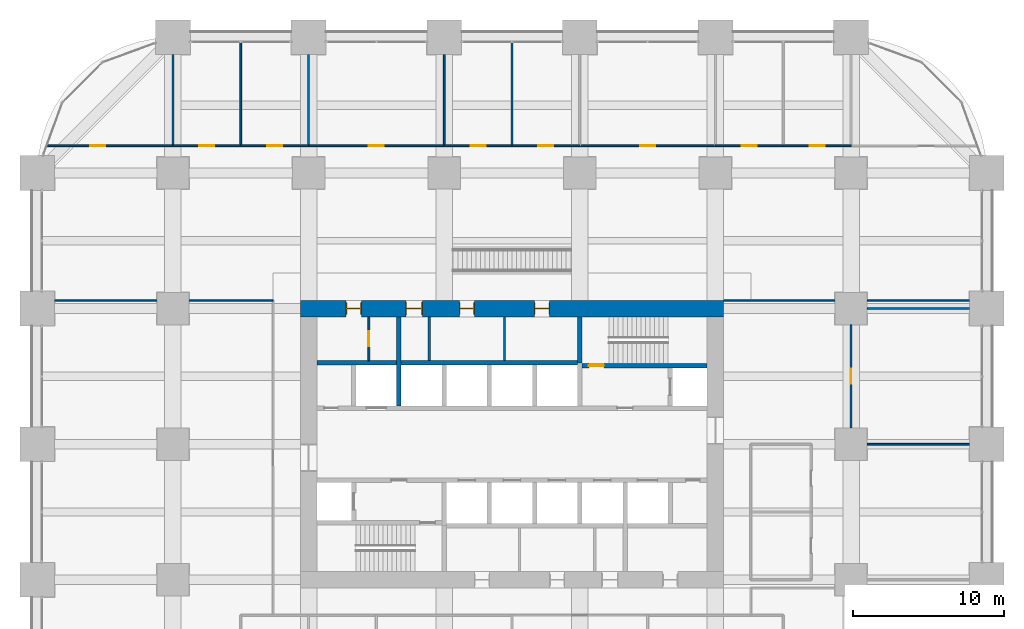
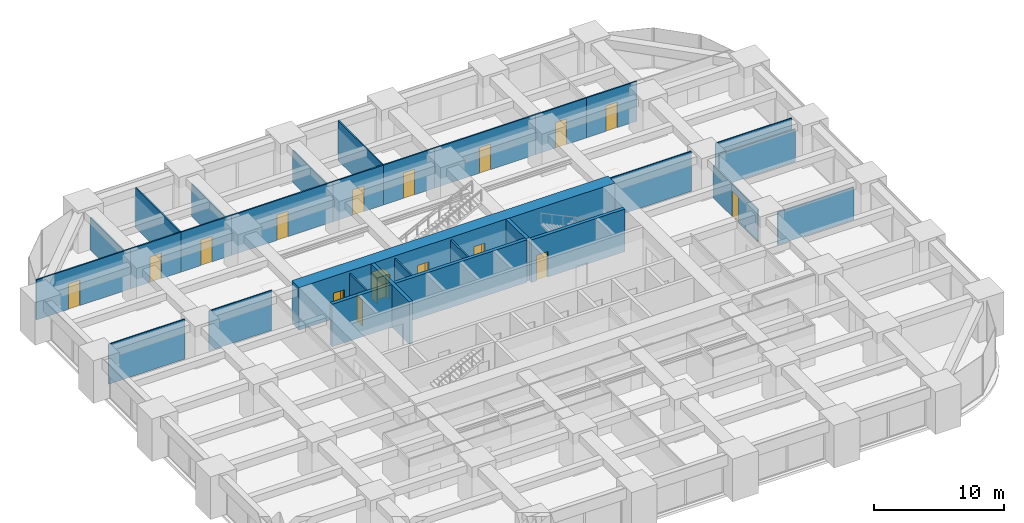
# One storey, part 41 of 44: 29 walls, 16 doors, 16 openings.
"""IFC4 building model written with IfcOpenShell, lengths in metres."""

from ifc_helpers import new_model, si_unit, direction, frame, frame_2d, origin, place, context, subcontext, project, spatial, rectangle, extrude, material, layer, layer_set, type_object, element, fill, save


model = new_model("IFC4")

# Units and contexts
model_context = context("Model", 3, precision=1e-05, world=origin(), true_north=direction((0.0, 1.0)))
body_context = subcontext(model_context, "Body", "Model", "MODEL_VIEW")
ifc_project = project(units=[si_unit("LENGTHUNIT", "METRE"), si_unit("AREAUNIT", "SQUARE_METRE"), si_unit("VOLUMEUNIT", "CUBIC_METRE"), si_unit("PLANEANGLEUNIT", "RADIAN"), si_unit("MASSUNIT", "GRAM", prefix="KILO")], contexts=[model_context])

# Site, building, storey
site_placement = place(None, origin())
site = spatial("IfcSite", under=ifc_project, at=site_placement, CompositionType="ELEMENT")
building_placement = place(site_placement, origin())
building = spatial("IfcBuilding", under=site, at=building_placement, Name="Zorevar Civic Tower", CompositionType="ELEMENT")
storey_placement = place(building_placement, frame((0.0, 0.0, 59.800048828125)))
storey = spatial("IfcBuildingStorey", under=building, at=storey_placement, Name="L14", CompositionType="ELEMENT", Elevation=59.800048828125)

# Wall, openings, doors
ifc_material_1 = material(Name="Concrete C50/60", Category="concrete")
ifc_layer_1 = layer(ifc_material_1, 1.10009765625)
ifc_layer_set_1 = layer_set([ifc_layer_1], Name="Core wall 1100")
wall_type_1 = type_object("IfcWallType", Name="Core wall 1100", PredefinedType="SHEAR", material=ifc_layer_set_1)
wall_1_placement = place(storey_placement, frame((45.550048828125, 36.0, 0.0), z_axis=(0.0, 0.0, 1.0), x_axis=(-1.0, 0.0, 0.0)))
wall_1 = element("IfcWall", 1, at=wall_1_placement, inside=storey, type_object=wall_type_1, Name="Core wall N L14", PredefinedType="SHEAR", context=body_context, shape_type="SweptSolid", body=[
    extrude(rectangle(XDim=28.10009765625, YDim=1.10009765625, at=frame_2d((14.050048828125, 0.0))), origin(), (0.0, 0.0, 1.0), 4.0),
])
opening_1_placement = place(wall_1_placement, frame((11.550048828125, 0.0, 0.0)))
opening_1 = element("IfcOpeningElement", 2, at=opening_1_placement, cuts=wall_1, Name="Opening L14.07", PredefinedType="OPENING", context=body_context, shape_type="SweptSolid", body=[
    extrude(rectangle(XDim=1.0, YDim=2.39990234375, at=frame_2d((0.5, 1.199951171875))), frame((0.0, 0.56005859375, 0.0), z_axis=(0.0, -1.0, 0.0), x_axis=(1.0, 0.0, 0.0)), (0.0, 0.0, 1.0), 1.1201171875),
])
opening_2_placement = place(wall_1_placement, frame((16.550048828125, 0.0, 0.0)))
opening_2 = element("IfcOpeningElement", 3, at=opening_2_placement, cuts=wall_1, Name="Opening L14.08", PredefinedType="OPENING", context=body_context, shape_type="SweptSolid", body=[
    extrude(rectangle(XDim=1.0, YDim=2.39990234375, at=frame_2d((0.5, 1.199951171875))), frame((0.0, 0.56005859375, 0.0), z_axis=(0.0, -1.0, 0.0), x_axis=(1.0, 0.0, 0.0)), (0.0, 0.0, 1.0), 1.1201171875),
])
opening_3_placement = place(wall_1_placement, frame((20.0, 0.0, 0.0)))
opening_3 = element("IfcOpeningElement", 4, at=opening_3_placement, cuts=wall_1, Name="Opening L14.09", PredefinedType="OPENING", context=body_context, shape_type="SweptSolid", body=[
    extrude(rectangle(XDim=1.10009765625, YDim=2.39990234375, at=frame_2d((0.550048828125, 1.199951171875))), frame((0.0, 0.56005859375, 0.0), z_axis=(0.0, -1.0, 0.0), x_axis=(1.0, 0.0, 0.0)), (0.0, 0.0, 1.0), 1.1201171875),
])
opening_4_placement = place(wall_1_placement, frame((24.050048828125, 0.0, 0.0)))
opening_4 = element("IfcOpeningElement", 5, at=opening_4_placement, cuts=wall_1, Name="Opening L14.10", PredefinedType="OPENING", context=body_context, shape_type="SweptSolid", body=[
    extrude(rectangle(XDim=1.0, YDim=2.39990234375, at=frame_2d((0.5, 1.199951171875))), frame((0.0, 0.56005859375, 0.0), z_axis=(0.0, -1.0, 0.0), x_axis=(1.0, 0.0, 0.0)), (0.0, 0.0, 1.0), 1.1201171875),
])
ifc_material_2 = material(Name="Timber door set", Category="wood")
door_type_1 = type_object("IfcDoorType", Name="Door D1 1000x2400", OperationType="SINGLE_SWING_LEFT", PredefinedType="DOOR", material=ifc_material_2)
door_1_placement = place(opening_1_placement, origin())
door_1 = element("IfcDoor", 6, at=door_1_placement, inside=storey, type_object=door_type_1, Name="Door L14 06", OperationType="SINGLE_SWING_RIGHT", OverallHeight=2.39990234375, OverallWidth=1.0, PredefinedType="DOOR", context=body_context, shape_type="SweptSolid", body=[
    extrude(rectangle(XDim=1.0, YDim=2.39990234375, at=frame_2d((0.5, 1.199951171875))), frame((0.0, 0.02490234375, 0.0), z_axis=(0.0, -1.0, 0.0), x_axis=(1.0, 0.0, 0.0)), (0.0, 0.0, 1.0), 0.050048828125),
    extrude(rectangle(XDim=0.04, YDim=2.39990234375, at=frame_2d((0.02001953125, 1.199951171875))), frame((0.0, 0.39990234375, 0.0), z_axis=(0.0, -1.0, 0.0), x_axis=(1.0, 0.0, 0.0)), (0.0, 0.0, 1.0), 0.800048828125),
    extrude(rectangle(XDim=0.04, YDim=2.39990234375, at=frame_2d((0.97998046875, 1.199951171875))), frame((0.0, 0.39990234375, 0.0), z_axis=(0.0, -1.0, 0.0), x_axis=(1.0, 0.0, 0.0)), (0.0, 0.0, 1.0), 0.800048828125),
    extrude(rectangle(XDim=1.0, YDim=0.04, at=frame_2d((0.5, 2.3798828125))), frame((0.0, 0.39990234375, 0.0), z_axis=(0.0, -1.0, 0.0), x_axis=(1.0, 0.0, 0.0)), (0.0, 0.0, 1.0), 0.800048828125),
])
fill(opening_1, door_1)
door_2_placement = place(opening_2_placement, origin())
door_2 = element("IfcDoor", 7, at=door_2_placement, inside=storey, type_object=door_type_1, Name="Door L14 07", OperationType="SINGLE_SWING_LEFT", OverallHeight=2.39990234375, OverallWidth=1.0, PredefinedType="DOOR", context=body_context, shape_type="SweptSolid", body=[
    extrude(rectangle(XDim=1.0, YDim=2.39990234375, at=frame_2d((0.5, 1.199951171875))), frame((0.0, 0.02490234375, 0.0), z_axis=(0.0, -1.0, 0.0), x_axis=(1.0, 0.0, 0.0)), (0.0, 0.0, 1.0), 0.050048828125),
    extrude(rectangle(XDim=0.04, YDim=2.39990234375, at=frame_2d((0.02001953125, 1.199951171875))), frame((0.0, 0.39990234375, 0.0), z_axis=(0.0, -1.0, 0.0), x_axis=(1.0, 0.0, 0.0)), (0.0, 0.0, 1.0), 0.800048828125),
    extrude(rectangle(XDim=0.04, YDim=2.39990234375, at=frame_2d((0.97998046875, 1.199951171875))), frame((0.0, 0.39990234375, 0.0), z_axis=(0.0, -1.0, 0.0), x_axis=(1.0, 0.0, 0.0)), (0.0, 0.0, 1.0), 0.800048828125),
    extrude(rectangle(XDim=1.0, YDim=0.04, at=frame_2d((0.5, 2.3798828125))), frame((0.0, 0.39990234375, 0.0), z_axis=(0.0, -1.0, 0.0), x_axis=(1.0, 0.0, 0.0)), (0.0, 0.0, 1.0), 0.800048828125),
])
fill(opening_2, door_2)
door_3_placement = place(opening_4_placement, origin())
door_3 = element("IfcDoor", 8, at=door_3_placement, inside=storey, type_object=door_type_1, Name="Door L14 09", OperationType="SINGLE_SWING_LEFT", OverallHeight=2.39990234375, OverallWidth=1.0, PredefinedType="DOOR", context=body_context, shape_type="SweptSolid", body=[
    extrude(rectangle(XDim=1.0, YDim=2.39990234375, at=frame_2d((0.5, 1.199951171875))), frame((0.0, 0.02490234375, 0.0), z_axis=(0.0, -1.0, 0.0), x_axis=(1.0, 0.0, 0.0)), (0.0, 0.0, 1.0), 0.050048828125),
    extrude(rectangle(XDim=0.04, YDim=2.39990234375, at=frame_2d((0.02001953125, 1.199951171875))), frame((0.0, 0.39990234375, 0.0), z_axis=(0.0, -1.0, 0.0), x_axis=(1.0, 0.0, 0.0)), (0.0, 0.0, 1.0), 0.800048828125),
    extrude(rectangle(XDim=0.04, YDim=2.39990234375, at=frame_2d((0.97998046875, 1.199951171875))), frame((0.0, 0.39990234375, 0.0), z_axis=(0.0, -1.0, 0.0), x_axis=(1.0, 0.0, 0.0)), (0.0, 0.0, 1.0), 0.800048828125),
    extrude(rectangle(XDim=1.0, YDim=0.04, at=frame_2d((0.5, 2.3798828125))), frame((0.0, 0.39990234375, 0.0), z_axis=(0.0, -1.0, 0.0), x_axis=(1.0, 0.0, 0.0)), (0.0, 0.0, 1.0), 0.800048828125),
])
fill(opening_4, door_3)
ifc_material_3 = material(Name="Timber door set", Category="wood")
door_type_2 = type_object("IfcDoorType", Name="Door D5 1100x2400", OperationType="SINGLE_SWING_LEFT", PredefinedType="DOOR", material=ifc_material_3)
door_4_placement = place(opening_3_placement, origin())
door_4 = element("IfcDoor", 9, at=door_4_placement, inside=storey, type_object=door_type_2, Name="Door L14 08", OperationType="SINGLE_SWING_LEFT", OverallHeight=2.39990234375, OverallWidth=1.10009765625, PredefinedType="DOOR", context=body_context, shape_type="SweptSolid", body=[
    extrude(rectangle(XDim=1.10009765625, YDim=2.39990234375, at=frame_2d((0.550048828125, 1.199951171875))), frame((0.0, 0.02490234375, 0.0), z_axis=(0.0, -1.0, 0.0), x_axis=(1.0, 0.0, 0.0)), (0.0, 0.0, 1.0), 0.050048828125),
    extrude(rectangle(XDim=0.04, YDim=2.39990234375, at=frame_2d((0.02001953125, 1.199951171875))), frame((0.0, 0.43994140625, 0.0), z_axis=(0.0, -1.0, 0.0), x_axis=(1.0, 0.0, 0.0)), (0.0, 0.0, 1.0), 0.880126953125),
    extrude(rectangle(XDim=0.04, YDim=2.39990234375, at=frame_2d((1.080078125, 1.199951171875))), frame((0.0, 0.43994140625, 0.0), z_axis=(0.0, -1.0, 0.0), x_axis=(1.0, 0.0, 0.0)), (0.0, 0.0, 1.0), 0.880126953125),
    extrude(rectangle(XDim=1.10009765625, YDim=0.04, at=frame_2d((0.550048828125, 2.3798828125))), frame((0.0, 0.43994140625, 0.0), z_axis=(0.0, -1.0, 0.0), x_axis=(1.0, 0.0, 0.0)), (0.0, 0.0, 1.0), 0.880126953125),
])
fill(opening_3, door_4)

# Walls
ifc_material_4 = material(Name="Laminated glass in black aluminium frame", Category="aluminium")
ifc_layer_2 = layer(ifc_material_4, 0.10009765625)
ifc_layer_set_2 = layer_set([ifc_layer_2], Name="Glazed partition 100")
wall_type_2 = type_object("IfcWallType", Name="Glazed partition 100", PredefinedType="PARTITIONING", material=ifc_layer_set_2)
wall_2_placement = place(storey_placement, frame((1.14990234375, 36.550048828125, 0.0), z_axis=(0.0, 0.0, 1.0), x_axis=(1.0, 0.0, 0.0)))
element("IfcWall", 10, at=wall_2_placement, inside=storey, type_object=wall_type_2, Name="Glazed partition 100 L14", PredefinedType="PARTITIONING", context=body_context, shape_type="SweptSolid", body=[
    extrude(rectangle(XDim=6.775146484375, YDim=0.10009765625, at=frame_2d((3.3876953125, 0.0))), origin(), (0.0, 0.0, 1.0), 3.75),
])
wall_3_placement = place(storey_placement, frame((10.074951171875, 36.550048828125, 0.0), z_axis=(0.0, 0.0, 1.0), x_axis=(1.0, 0.0, 0.0)))
element("IfcWall", 11, at=wall_3_placement, inside=storey, type_object=wall_type_2, Name="Glazed partition 100 L14", PredefinedType="PARTITIONING", context=body_context, shape_type="SweptSolid", body=[
    extrude(rectangle(XDim=5.574951171875, YDim=0.10009765625, at=frame_2d((2.78759765625, 0.0))), origin(), (0.0, 0.0, 1.0), 3.75),
])
wall_4_placement = place(storey_placement, frame((45.550048828125, 36.550048828125, 0.0), z_axis=(0.0, 0.0, 1.0), x_axis=(1.0, 0.0, 0.0)))
element("IfcWall", 12, at=wall_4_placement, inside=storey, type_object=wall_type_2, Name="Glazed partition 100 L14", PredefinedType="PARTITIONING", context=body_context, shape_type="SweptSolid", body=[
    extrude(rectangle(XDim=7.375, YDim=0.10009765625, at=frame_2d((3.6875, 0.0))), origin(), (0.0, 0.0, 1.0), 3.75),
])
wall_5_placement = place(storey_placement, frame((55.074951171875, 36.550048828125, 0.0), z_axis=(0.0, 0.0, 1.0), x_axis=(1.0, 0.0, 0.0)))
element("IfcWall", 13, at=wall_5_placement, inside=storey, type_object=wall_type_2, Name="Glazed partition 100 L14", PredefinedType="PARTITIONING", context=body_context, shape_type="SweptSolid", body=[
    extrude(rectangle(XDim=6.775146484375, YDim=0.10009765625, at=frame_2d((3.3876953125, 0.0))), origin(), (0.0, 0.0, 1.0), 3.75),
])

# Wall, opening, door
ifc_material_5 = material(Name="Concrete C40/50", Category="concrete")
ifc_layer_3 = layer(ifc_material_5, 0.300048828125)
ifc_layer_set_3 = layer_set([ifc_layer_3], Name="Inner core wall 300")
wall_type_3 = type_object("IfcWallType", Name="Inner core wall 300", PredefinedType="SHEAR", material=ifc_layer_set_3)
wall_6_placement = place(storey_placement, frame((36.14990234375, 32.199951171875, 0.0), z_axis=(0.0, 0.0, 1.0), x_axis=(1.0, 0.0, 0.0)))
wall_6 = element("IfcWall", 14, at=wall_6_placement, inside=storey, type_object=wall_type_3, Name="Inner core wall N00 L14", PredefinedType="SHEAR", context=body_context, shape_type="SweptSolid", body=[
    extrude(rectangle(XDim=8.300048828125, YDim=0.300048828125, at=frame_2d((4.14990234375, 0.0))), origin(), (0.0, 0.0, 1.0), 4.0),
])
opening_5_placement = place(wall_6_placement, frame((0.449951171875, 0.0, 0.0)))
opening_5 = element("IfcOpeningElement", 15, at=opening_5_placement, cuts=wall_6, Name="Opening L14.12", PredefinedType="OPENING", context=body_context, shape_type="SweptSolid", body=[
    extrude(rectangle(XDim=1.0, YDim=2.39990234375, at=frame_2d((0.5, 1.199951171875))), frame((0.0, 0.159912109375, 0.0), z_axis=(0.0, -1.0, 0.0), x_axis=(1.0, 0.0, 0.0)), (0.0, 0.0, 1.0), 0.320068359375),
])
ifc_material_6 = material(Name="Steel door set", Category="steel")
door_type_3 = type_object("IfcDoorType", Name="Fire door FD1 1000x2400", OperationType="SINGLE_SWING_LEFT", PredefinedType="DOOR", material=ifc_material_6)
door_5_placement = place(opening_5_placement, origin())
door_5 = element("IfcDoor", 16, at=door_5_placement, inside=storey, type_object=door_type_3, Name="Door L14 11", OperationType="SINGLE_SWING_RIGHT", OverallHeight=2.39990234375, OverallWidth=1.0, PredefinedType="DOOR", context=body_context, shape_type="SweptSolid", body=[
    extrude(rectangle(XDim=1.0, YDim=2.39990234375, at=frame_2d((0.5, 1.199951171875))), frame((0.0, 0.030029296875, 0.0), z_axis=(0.0, -1.0, 0.0), x_axis=(1.0, 0.0, 0.0)), (0.0, 0.0, 1.0), 0.06005859375),
])
fill(opening_5, door_5)

# Walls
wall_7_placement = place(storey_placement, frame((36.0, 32.39990234375, 0.0), z_axis=(0.0, 0.0, 1.0), x_axis=(0.0, 1.0, 0.0)))
element("IfcWall", 17, at=wall_7_placement, inside=storey, type_object=wall_type_3, Name="Inner core wall N01 L14", PredefinedType="SHEAR", context=body_context, shape_type="SweptSolid", body=[
    extrude(rectangle(XDim=3.050048828125, YDim=0.300048828125, at=frame_2d((1.52490234375, 0.0))), origin(), (0.0, 0.0, 1.0), 4.0),
])
wall_8_placement = place(storey_placement, frame((18.550048828125, 32.39990234375, 0.0), z_axis=(0.0, 0.0, 1.0), x_axis=(1.0, 0.0, 0.0)))
element("IfcWall", 18, at=wall_8_placement, inside=storey, type_object=wall_type_3, Name="Inner core wall N04 L14", PredefinedType="SHEAR", context=body_context, shape_type="SweptSolid", body=[
    extrude(rectangle(XDim=17.300048828125, YDim=0.300048828125, at=frame_2d((8.64990234375, 0.0))), origin(), (0.0, 0.0, 1.0), 4.0),
])
wall_9_placement = place(storey_placement, frame((24.0, 29.550048828125, 0.0), z_axis=(0.0, 0.0, 1.0), x_axis=(0.0, 1.0, 0.0)))
element("IfcWall", 19, at=wall_9_placement, inside=storey, type_object=wall_type_3, Name="Inner core wall N08 L14", PredefinedType="SHEAR", context=body_context, shape_type="SweptSolid", body=[
    extrude(rectangle(XDim=5.89990234375, YDim=0.300048828125, at=frame_2d((2.949951171875, 0.0))), origin(), (0.0, 0.0, 1.0), 4.0),
])
ifc_material_7 = material(Name="Gypsum board on steel studs", Category="steel")
ifc_layer_4 = layer(ifc_material_7, 0.1201171875)
ifc_layer_set_4 = layer_set([ifc_layer_4], Name="Partition 120")
wall_type_4 = type_object("IfcWallType", Name="Partition 120", PredefinedType="PARTITIONING", material=ifc_layer_set_4)
for number, where, z_axis, x_axis, name in (
    (20, (55.074951171875, 27.0, 0.0), (0.0, 0.0, 1.0), (1.0, 0.0, 0.0), "Partition 120 L14"),
    (21, (55.074951171875, 36.0, 0.0), (0.0, 0.0, 1.0), (1.0, 0.0, 0.0), "Partition 120 L14"),
):
    element("IfcWall", number, at=place(storey_placement, frame(where, z_axis=z_axis, x_axis=x_axis)), inside=storey, type_object=wall_type_4, Name=name, PredefinedType="PARTITIONING", context=body_context, shape_type="SweptSolid", body=[
        extrude(rectangle(XDim=6.775146484375, YDim=0.1201171875, at=frame_2d((3.3876953125, 0.0))), origin(), (0.0, 0.0, 1.0), 3.050048828125),
    ])

# Wall, opening, door
wall_10_placement = place(storey_placement, frame((9.0, 46.800048828125, 0.0), z_axis=(0.0, 0.0, 1.0), x_axis=(1.0, 0.0, 0.0)))
wall_10 = element("IfcWall", 22, at=wall_10_placement, inside=storey, type_object=wall_type_4, Name="Partition 120 L14", PredefinedType="PARTITIONING", context=body_context, shape_type="SweptSolid", body=[
    extrude(rectangle(XDim=4.5, YDim=0.1201171875, at=frame_2d((2.25, 0.0))), origin(), (0.0, 0.0, 1.0), 3.75),
])
opening_6_placement = place(wall_10_placement, frame((1.75, 0.0, 0.0)))
opening_6 = element("IfcOpeningElement", 23, at=opening_6_placement, cuts=wall_10, Name="Opening L14.22", PredefinedType="OPENING", context=body_context, shape_type="SweptSolid", body=[
    extrude(rectangle(XDim=1.0, YDim=2.39990234375, at=frame_2d((0.5, 1.199951171875))), frame((0.0, 0.070068359375, 0.0), z_axis=(0.0, -1.0, 0.0), x_axis=(1.0, 0.0, 0.0)), (0.0, 0.0, 1.0), 0.14013671875),
])
door_6_placement = place(opening_6_placement, origin())
door_6 = element("IfcDoor", 24, at=door_6_placement, inside=storey, type_object=door_type_1, Name="Door L14 D1", OperationType="SINGLE_SWING_LEFT", OverallHeight=2.39990234375, OverallWidth=1.0, PredefinedType="DOOR", context=body_context, shape_type="SweptSolid", body=[
    extrude(rectangle(XDim=1.0, YDim=2.39990234375, at=frame_2d((0.5, 1.199951171875))), frame((0.0, 0.02490234375, 0.0), z_axis=(0.0, -1.0, 0.0), x_axis=(1.0, 0.0, 0.0)), (0.0, 0.0, 1.0), 0.050048828125),
])
fill(opening_6, door_6)

wall_11_placement = place(storey_placement, frame((13.5, 46.800048828125, 0.0), z_axis=(0.0, 0.0, 1.0), x_axis=(1.0, 0.0, 0.0)))
wall_11 = element("IfcWall", 25, at=wall_11_placement, inside=storey, type_object=wall_type_4, Name="Partition 120 L14", PredefinedType="PARTITIONING", context=body_context, shape_type="SweptSolid", body=[
    extrude(rectangle(XDim=4.5, YDim=0.1201171875, at=frame_2d((2.25, 0.0))), origin(), (0.0, 0.0, 1.0), 3.75),
])
opening_7_placement = place(wall_11_placement, frame((1.75, 0.0, 0.0)))
opening_7 = element("IfcOpeningElement", 26, at=opening_7_placement, cuts=wall_11, Name="Opening L14.23", PredefinedType="OPENING", context=body_context, shape_type="SweptSolid", body=[
    extrude(rectangle(XDim=1.0, YDim=2.39990234375, at=frame_2d((0.5, 1.199951171875))), frame((0.0, 0.070068359375, 0.0), z_axis=(0.0, -1.0, 0.0), x_axis=(1.0, 0.0, 0.0)), (0.0, 0.0, 1.0), 0.14013671875),
])
door_7_placement = place(opening_7_placement, origin())
door_7 = element("IfcDoor", 27, at=door_7_placement, inside=storey, type_object=door_type_1, Name="Door L14 D1", OperationType="SINGLE_SWING_LEFT", OverallHeight=2.39990234375, OverallWidth=1.0, PredefinedType="DOOR", context=body_context, shape_type="SweptSolid", body=[
    extrude(rectangle(XDim=1.0, YDim=2.39990234375, at=frame_2d((0.5, 1.199951171875))), frame((0.0, 0.02490234375, 0.0), z_axis=(0.0, -1.0, 0.0), x_axis=(1.0, 0.0, 0.0)), (0.0, 0.0, 1.0), 0.050048828125),
])
fill(opening_7, door_7)

wall_12_placement = place(storey_placement, frame((18.0, 46.800048828125, 0.0), z_axis=(0.0, 0.0, 1.0), x_axis=(1.0, 0.0, 0.0)))
wall_12 = element("IfcWall", 28, at=wall_12_placement, inside=storey, type_object=wall_type_4, Name="Partition 120 L14", PredefinedType="PARTITIONING", context=body_context, shape_type="SweptSolid", body=[
    extrude(rectangle(XDim=9.0, YDim=0.1201171875, at=frame_2d((4.5, 0.0))), origin(), (0.0, 0.0, 1.0), 3.75),
])
opening_8_placement = place(wall_12_placement, frame((4.0, 0.0, 0.0)))
opening_8 = element("IfcOpeningElement", 29, at=opening_8_placement, cuts=wall_12, Name="Opening L14.24", PredefinedType="OPENING", context=body_context, shape_type="SweptSolid", body=[
    extrude(rectangle(XDim=1.0, YDim=2.39990234375, at=frame_2d((0.5, 1.199951171875))), frame((0.0, 0.070068359375, 0.0), z_axis=(0.0, -1.0, 0.0), x_axis=(1.0, 0.0, 0.0)), (0.0, 0.0, 1.0), 0.14013671875),
])
door_8_placement = place(opening_8_placement, origin())
door_8 = element("IfcDoor", 30, at=door_8_placement, inside=storey, type_object=door_type_1, Name="Door L14 D1", OperationType="SINGLE_SWING_LEFT", OverallHeight=2.39990234375, OverallWidth=1.0, PredefinedType="DOOR", context=body_context, shape_type="SweptSolid", body=[
    extrude(rectangle(XDim=1.0, YDim=2.39990234375, at=frame_2d((0.5, 1.199951171875))), frame((0.0, 0.02490234375, 0.0), z_axis=(0.0, -1.0, 0.0), x_axis=(1.0, 0.0, 0.0)), (0.0, 0.0, 1.0), 0.050048828125),
])
fill(opening_8, door_8)

wall_13_placement = place(storey_placement, frame((27.0, 46.800048828125, 0.0), z_axis=(0.0, 0.0, 1.0), x_axis=(1.0, 0.0, 0.0)))
wall_13 = element("IfcWall", 31, at=wall_13_placement, inside=storey, type_object=wall_type_4, Name="Partition 120 L14", PredefinedType="PARTITIONING", context=body_context, shape_type="SweptSolid", body=[
    extrude(rectangle(XDim=4.5, YDim=0.1201171875, at=frame_2d((2.25, 0.0))), origin(), (0.0, 0.0, 1.0), 3.75),
])
opening_9_placement = place(wall_13_placement, frame((1.75, 0.0, 0.0)))
opening_9 = element("IfcOpeningElement", 32, at=opening_9_placement, cuts=wall_13, Name="Opening L14.25", PredefinedType="OPENING", context=body_context, shape_type="SweptSolid", body=[
    extrude(rectangle(XDim=1.0, YDim=2.39990234375, at=frame_2d((0.5, 1.199951171875))), frame((0.0, 0.070068359375, 0.0), z_axis=(0.0, -1.0, 0.0), x_axis=(1.0, 0.0, 0.0)), (0.0, 0.0, 1.0), 0.14013671875),
])
door_9_placement = place(opening_9_placement, origin())
door_9 = element("IfcDoor", 33, at=door_9_placement, inside=storey, type_object=door_type_1, Name="Door L14 D1", OperationType="SINGLE_SWING_LEFT", OverallHeight=2.39990234375, OverallWidth=1.0, PredefinedType="DOOR", context=body_context, shape_type="SweptSolid", body=[
    extrude(rectangle(XDim=1.0, YDim=2.39990234375, at=frame_2d((0.5, 1.199951171875))), frame((0.0, 0.02490234375, 0.0), z_axis=(0.0, -1.0, 0.0), x_axis=(1.0, 0.0, 0.0)), (0.0, 0.0, 1.0), 0.050048828125),
])
fill(opening_9, door_9)

wall_14_placement = place(storey_placement, frame((31.5, 46.800048828125, 0.0), z_axis=(0.0, 0.0, 1.0), x_axis=(1.0, 0.0, 0.0)))
wall_14 = element("IfcWall", 34, at=wall_14_placement, inside=storey, type_object=wall_type_4, Name="Partition 120 L14", PredefinedType="PARTITIONING", context=body_context, shape_type="SweptSolid", body=[
    extrude(rectangle(XDim=4.5, YDim=0.1201171875, at=frame_2d((2.25, 0.0))), origin(), (0.0, 0.0, 1.0), 3.75),
])
opening_10_placement = place(wall_14_placement, frame((1.75, 0.0, 0.0)))
opening_10 = element("IfcOpeningElement", 35, at=opening_10_placement, cuts=wall_14, Name="Opening L14.26", PredefinedType="OPENING", context=body_context, shape_type="SweptSolid", body=[
    extrude(rectangle(XDim=1.0, YDim=2.39990234375, at=frame_2d((0.5, 1.199951171875))), frame((0.0, 0.070068359375, 0.0), z_axis=(0.0, -1.0, 0.0), x_axis=(1.0, 0.0, 0.0)), (0.0, 0.0, 1.0), 0.14013671875),
])
door_10_placement = place(opening_10_placement, origin())
door_10 = element("IfcDoor", 36, at=door_10_placement, inside=storey, type_object=door_type_1, Name="Door L14 D1", OperationType="SINGLE_SWING_RIGHT", OverallHeight=2.39990234375, OverallWidth=1.0, PredefinedType="DOOR", context=body_context, shape_type="SweptSolid", body=[
    extrude(rectangle(XDim=1.0, YDim=2.39990234375, at=frame_2d((0.5, 1.199951171875))), frame((0.0, 0.02490234375, 0.0), z_axis=(0.0, -1.0, 0.0), x_axis=(1.0, 0.0, 0.0)), (0.0, 0.0, 1.0), 0.050048828125),
])
fill(opening_10, door_10)

wall_15_placement = place(storey_placement, frame((36.0, 46.800048828125, 0.0), z_axis=(0.0, 0.0, 1.0), x_axis=(1.0, 0.0, 0.0)))
wall_15 = element("IfcWall", 37, at=wall_15_placement, inside=storey, type_object=wall_type_4, Name="Partition 120 L14", PredefinedType="PARTITIONING", context=body_context, shape_type="SweptSolid", body=[
    extrude(rectangle(XDim=9.0, YDim=0.1201171875, at=frame_2d((4.5, 0.0))), origin(), (0.0, 0.0, 1.0), 3.75),
])
opening_11_placement = place(wall_15_placement, frame((4.0, 0.0, 0.0)))
opening_11 = element("IfcOpeningElement", 38, at=opening_11_placement, cuts=wall_15, Name="Opening L14.27", PredefinedType="OPENING", context=body_context, shape_type="SweptSolid", body=[
    extrude(rectangle(XDim=1.0, YDim=2.39990234375, at=frame_2d((0.5, 1.199951171875))), frame((0.0, 0.070068359375, 0.0), z_axis=(0.0, -1.0, 0.0), x_axis=(1.0, 0.0, 0.0)), (0.0, 0.0, 1.0), 0.14013671875),
])
door_11_placement = place(opening_11_placement, origin())
door_11 = element("IfcDoor", 39, at=door_11_placement, inside=storey, type_object=door_type_1, Name="Door L14 D1", OperationType="SINGLE_SWING_RIGHT", OverallHeight=2.39990234375, OverallWidth=1.0, PredefinedType="DOOR", context=body_context, shape_type="SweptSolid", body=[
    extrude(rectangle(XDim=1.0, YDim=2.39990234375, at=frame_2d((0.5, 1.199951171875))), frame((0.0, 0.02490234375, 0.0), z_axis=(0.0, -1.0, 0.0), x_axis=(1.0, 0.0, 0.0)), (0.0, 0.0, 1.0), 0.050048828125),
])
fill(opening_11, door_11)

wall_16_placement = place(storey_placement, frame((45.0, 46.800048828125, 0.0), z_axis=(0.0, 0.0, 1.0), x_axis=(1.0, 0.0, 0.0)))
wall_16 = element("IfcWall", 40, at=wall_16_placement, inside=storey, type_object=wall_type_4, Name="Partition 120 L14", PredefinedType="PARTITIONING", context=body_context, shape_type="SweptSolid", body=[
    extrude(rectangle(XDim=4.5, YDim=0.1201171875, at=frame_2d((2.25, 0.0))), origin(), (0.0, 0.0, 1.0), 3.75),
])
opening_12_placement = place(wall_16_placement, frame((1.75, 0.0, 0.0)))
opening_12 = element("IfcOpeningElement", 41, at=opening_12_placement, cuts=wall_16, Name="Opening L14.28", PredefinedType="OPENING", context=body_context, shape_type="SweptSolid", body=[
    extrude(rectangle(XDim=1.0, YDim=2.39990234375, at=frame_2d((0.5, 1.199951171875))), frame((0.0, 0.070068359375, 0.0), z_axis=(0.0, -1.0, 0.0), x_axis=(1.0, 0.0, 0.0)), (0.0, 0.0, 1.0), 0.14013671875),
])
door_12_placement = place(opening_12_placement, origin())
door_12 = element("IfcDoor", 42, at=door_12_placement, inside=storey, type_object=door_type_1, Name="Door L14 D1", OperationType="SINGLE_SWING_RIGHT", OverallHeight=2.39990234375, OverallWidth=1.0, PredefinedType="DOOR", context=body_context, shape_type="SweptSolid", body=[
    extrude(rectangle(XDim=1.0, YDim=2.39990234375, at=frame_2d((0.5, 1.199951171875))), frame((0.0, 0.02490234375, 0.0), z_axis=(0.0, -1.0, 0.0), x_axis=(1.0, 0.0, 0.0)), (0.0, 0.0, 1.0), 0.050048828125),
])
fill(opening_12, door_12)

wall_17_placement = place(storey_placement, frame((49.5, 46.800048828125, 0.0), z_axis=(0.0, 0.0, 1.0), x_axis=(1.0, 0.0, 0.0)))
wall_17 = element("IfcWall", 43, at=wall_17_placement, inside=storey, type_object=wall_type_4, Name="Partition 120 L14", PredefinedType="PARTITIONING", context=body_context, shape_type="SweptSolid", body=[
    extrude(rectangle(XDim=4.5, YDim=0.1201171875, at=frame_2d((2.25, 0.0))), origin(), (0.0, 0.0, 1.0), 3.75),
])
opening_13_placement = place(wall_17_placement, frame((1.75, 0.0, 0.0)))
opening_13 = element("IfcOpeningElement", 44, at=opening_13_placement, cuts=wall_17, Name="Opening L14.29", PredefinedType="OPENING", context=body_context, shape_type="SweptSolid", body=[
    extrude(rectangle(XDim=1.0, YDim=2.39990234375, at=frame_2d((0.5, 1.199951171875))), frame((0.0, 0.070068359375, 0.0), z_axis=(0.0, -1.0, 0.0), x_axis=(1.0, 0.0, 0.0)), (0.0, 0.0, 1.0), 0.14013671875),
])
door_13_placement = place(opening_13_placement, origin())
door_13 = element("IfcDoor", 45, at=door_13_placement, inside=storey, type_object=door_type_1, Name="Door L14 D1", OperationType="SINGLE_SWING_RIGHT", OverallHeight=2.39990234375, OverallWidth=1.0, PredefinedType="DOOR", context=body_context, shape_type="SweptSolid", body=[
    extrude(rectangle(XDim=1.0, YDim=2.39990234375, at=frame_2d((0.5, 1.199951171875))), frame((0.0, 0.02490234375, 0.0), z_axis=(0.0, -1.0, 0.0), x_axis=(1.0, 0.0, 0.0)), (0.0, 0.0, 1.0), 0.050048828125),
])
fill(opening_13, door_13)

wall_18_placement = place(storey_placement, frame((0.65283203125, 46.800048828125, 0.0), z_axis=(0.0, 0.0, 1.0), x_axis=(1.0, 0.0, 0.0)))
wall_18 = element("IfcWall", 46, at=wall_18_placement, inside=storey, type_object=wall_type_4, Name="Partition 120 L14", PredefinedType="PARTITIONING", context=body_context, shape_type="SweptSolid", body=[
    extrude(rectangle(XDim=8.34716796875, YDim=0.1201171875, at=frame_2d((4.173583984375, 0.0))), origin(), (0.0, 0.0, 1.0), 3.75),
])
opening_14_placement = place(wall_18_placement, frame((2.84716796875, 0.0, 0.0)))
opening_14 = element("IfcOpeningElement", 47, at=opening_14_placement, cuts=wall_18, Name="Opening L14.30", PredefinedType="OPENING", context=body_context, shape_type="SweptSolid", body=[
    extrude(rectangle(XDim=1.0, YDim=2.39990234375, at=frame_2d((0.5, 1.199951171875))), frame((0.0, 0.070068359375, 0.0), z_axis=(0.0, -1.0, 0.0), x_axis=(1.0, 0.0, 0.0)), (0.0, 0.0, 1.0), 0.14013671875),
])
door_14_placement = place(opening_14_placement, origin())
door_14 = element("IfcDoor", 48, at=door_14_placement, inside=storey, type_object=door_type_1, Name="Door L14 D1", OperationType="SINGLE_SWING_LEFT", OverallHeight=2.39990234375, OverallWidth=1.0, PredefinedType="DOOR", context=body_context, shape_type="SweptSolid", body=[
    extrude(rectangle(XDim=1.0, YDim=2.39990234375, at=frame_2d((0.5, 1.199951171875))), frame((0.0, 0.02490234375, 0.0), z_axis=(0.0, -1.0, 0.0), x_axis=(1.0, 0.0, 0.0)), (0.0, 0.0, 1.0), 0.050048828125),
])
fill(opening_14, door_14)

# Walls
wall_19_placement = place(storey_placement, frame((9.0, 46.800048828125, 0.0), z_axis=(0.0, 0.0, 1.0), x_axis=(0.0, 1.0, 0.0)))
element("IfcWall", 49, at=wall_19_placement, inside=storey, type_object=wall_type_4, Name="Partition 120 L14", PredefinedType="PARTITIONING", context=body_context, shape_type="SweptSolid", body=[
    extrude(rectangle(XDim=6.050048828125, YDim=0.1201171875, at=frame_2d((3.02490234375, 0.0))), origin(), (0.0, 0.0, 1.0), 3.050048828125),
])
wall_20_placement = place(storey_placement, frame((13.5, 46.800048828125, 0.0), z_axis=(0.0, 0.0, 1.0), x_axis=(0.0, 1.0, 0.0)))
element("IfcWall", 50, at=wall_20_placement, inside=storey, type_object=wall_type_4, Name="Partition 120 L14", PredefinedType="PARTITIONING", context=body_context, shape_type="SweptSolid", body=[
    extrude(rectangle(XDim=6.889892578125, YDim=0.1201171875, at=frame_2d((3.44482421875, 0.0))), origin(), (0.0, 0.0, 1.0), 3.75),
])
for number, where, z_axis, x_axis, name in (
    (51, (18.0, 46.800048828125, 0.0), (0.0, 0.0, 1.0), (0.0, 1.0, 0.0), "Partition 120 L14"),
    (52, (27.0, 46.800048828125, 0.0), (0.0, 0.0, 1.0), (0.0, 1.0, 0.0), "Partition 120 L14"),
):
    element("IfcWall", number, at=place(storey_placement, frame(where, z_axis=z_axis, x_axis=x_axis)), inside=storey, type_object=wall_type_4, Name=name, PredefinedType="PARTITIONING", context=body_context, shape_type="SweptSolid", body=[
        extrude(rectangle(XDim=6.050048828125, YDim=0.1201171875, at=frame_2d((3.02490234375, 0.0))), origin(), (0.0, 0.0, 1.0), 3.050048828125),
    ])
wall_21_placement = place(storey_placement, frame((31.5, 46.800048828125, 0.0), z_axis=(0.0, 0.0, 1.0), x_axis=(0.0, 1.0, 0.0)))
element("IfcWall", 53, at=wall_21_placement, inside=storey, type_object=wall_type_4, Name="Partition 120 L14", PredefinedType="PARTITIONING", context=body_context, shape_type="SweptSolid", body=[
    extrude(rectangle(XDim=6.889892578125, YDim=0.1201171875, at=frame_2d((3.44482421875, 0.0))), origin(), (0.0, 0.0, 1.0), 3.75),
])

# Wall, opening, door
wall_22_placement = place(storey_placement, frame((54.0, 28.074951171875, 0.0), z_axis=(0.0, 0.0, 1.0), x_axis=(0.0, 1.0, 0.0)))
wall_22 = element("IfcWall", 54, at=wall_22_placement, inside=storey, type_object=wall_type_4, Name="Partition 120 L14", PredefinedType="PARTITIONING", context=body_context, shape_type="SweptSolid", body=[
    extrude(rectangle(XDim=6.85009765625, YDim=0.1201171875, at=frame_2d((3.425048828125, 0.0))), origin(), (0.0, 0.0, 1.0), 3.050048828125),
])
opening_15_placement = place(wall_22_placement, frame((2.925048828125, 0.0, 0.0)))
opening_15 = element("IfcOpeningElement", 55, at=opening_15_placement, cuts=wall_22, Name="Opening L14.36", PredefinedType="OPENING", context=body_context, shape_type="SweptSolid", body=[
    extrude(rectangle(XDim=1.0, YDim=2.39990234375, at=frame_2d((0.5, 1.199951171875))), frame((0.0, 0.070068359375, 0.0), z_axis=(0.0, -1.0, 0.0), x_axis=(1.0, 0.0, 0.0)), (0.0, 0.0, 1.0), 0.14013671875),
])
door_15_placement = place(opening_15_placement, origin())
door_15 = element("IfcDoor", 56, at=door_15_placement, inside=storey, type_object=door_type_1, Name="Door L14 D1", OperationType="SINGLE_SWING_LEFT", OverallHeight=2.39990234375, OverallWidth=1.0, PredefinedType="DOOR", context=body_context, shape_type="SweptSolid", body=[
    extrude(rectangle(XDim=1.0, YDim=2.39990234375, at=frame_2d((0.5, 1.199951171875))), frame((0.0, 0.02490234375, 0.0), z_axis=(0.0, -1.0, 0.0), x_axis=(1.0, 0.0, 0.0)), (0.0, 0.0, 1.0), 0.050048828125),
])
fill(opening_15, door_15)

wall_23_placement = place(storey_placement, frame((22.0, 32.550048828125, 0.0), z_axis=(0.0, 0.0, 1.0), x_axis=(0.0, 1.0, 0.0)))
wall_23 = element("IfcWall", 57, at=wall_23_placement, inside=storey, type_object=wall_type_4, Name="Partition L14", PredefinedType="PARTITIONING", context=body_context, shape_type="SweptSolid", body=[
    extrude(rectangle(XDim=2.89990234375, YDim=0.1201171875, at=frame_2d((1.449951171875, 0.0))), origin(), (0.0, 0.0, 1.0), 3.75),
])
opening_16_placement = place(wall_23_placement, frame((0.949951171875, 0.0, 0.0)))
opening_16 = element("IfcOpeningElement", 58, at=opening_16_placement, cuts=wall_23, Name="Opening L14.37", PredefinedType="OPENING", context=body_context, shape_type="SweptSolid", body=[
    extrude(rectangle(XDim=1.0, YDim=2.39990234375, at=frame_2d((0.5, 1.199951171875))), frame((0.0, 0.070068359375, 0.0), z_axis=(0.0, -1.0, 0.0), x_axis=(1.0, 0.0, 0.0)), (0.0, 0.0, 1.0), 0.14013671875),
])
door_16_placement = place(opening_16_placement, origin())
door_16 = element("IfcDoor", 59, at=door_16_placement, inside=storey, type_object=door_type_3, Name="Door L14 EN", OperationType="SINGLE_SWING_RIGHT", OverallHeight=2.39990234375, OverallWidth=1.0, PredefinedType="DOOR", context=body_context, shape_type="SweptSolid", body=[
    extrude(rectangle(XDim=1.0, YDim=2.39990234375, at=frame_2d((0.5, 1.199951171875))), frame((0.0, 0.030029296875, 0.0), z_axis=(0.0, -1.0, 0.0), x_axis=(1.0, 0.0, 0.0)), (0.0, 0.0, 1.0), 0.06005859375),
])
fill(opening_16, door_16)

# Walls
ifc_material_8 = material(Name="Gypsum board on steel studs, moisture resistant", Category="steel")
ifc_layer_5 = layer(ifc_material_8, 0.14990234375)
ifc_layer_set_5 = layer_set([ifc_layer_5], Name="WC partition 150")
wall_type_5 = type_object("IfcWallType", Name="WC partition 150", PredefinedType="PARTITIONING", material=ifc_layer_set_5)
for number, where, z_axis, x_axis, name in (
    (60, (31.0, 32.550048828125, 0.0), (0.0, 0.0, 1.0), (0.0, 1.0, 0.0), "WC partition L14"),
    (61, (26.0, 32.550048828125, 0.0), (0.0, 0.0, 1.0), (0.0, 1.0, 0.0), "WC partition L14"),
):
    element("IfcWall", number, at=place(storey_placement, frame(where, z_axis=z_axis, x_axis=x_axis)), inside=storey, type_object=wall_type_5, Name=name, PredefinedType="PARTITIONING", context=body_context, shape_type="SweptSolid", body=[
        extrude(rectangle(XDim=2.89990234375, YDim=0.14990234375, at=frame_2d((1.449951171875, 0.0))), origin(), (0.0, 0.0, 1.0), 3.75),
    ])

save(model, "model.ifc")
